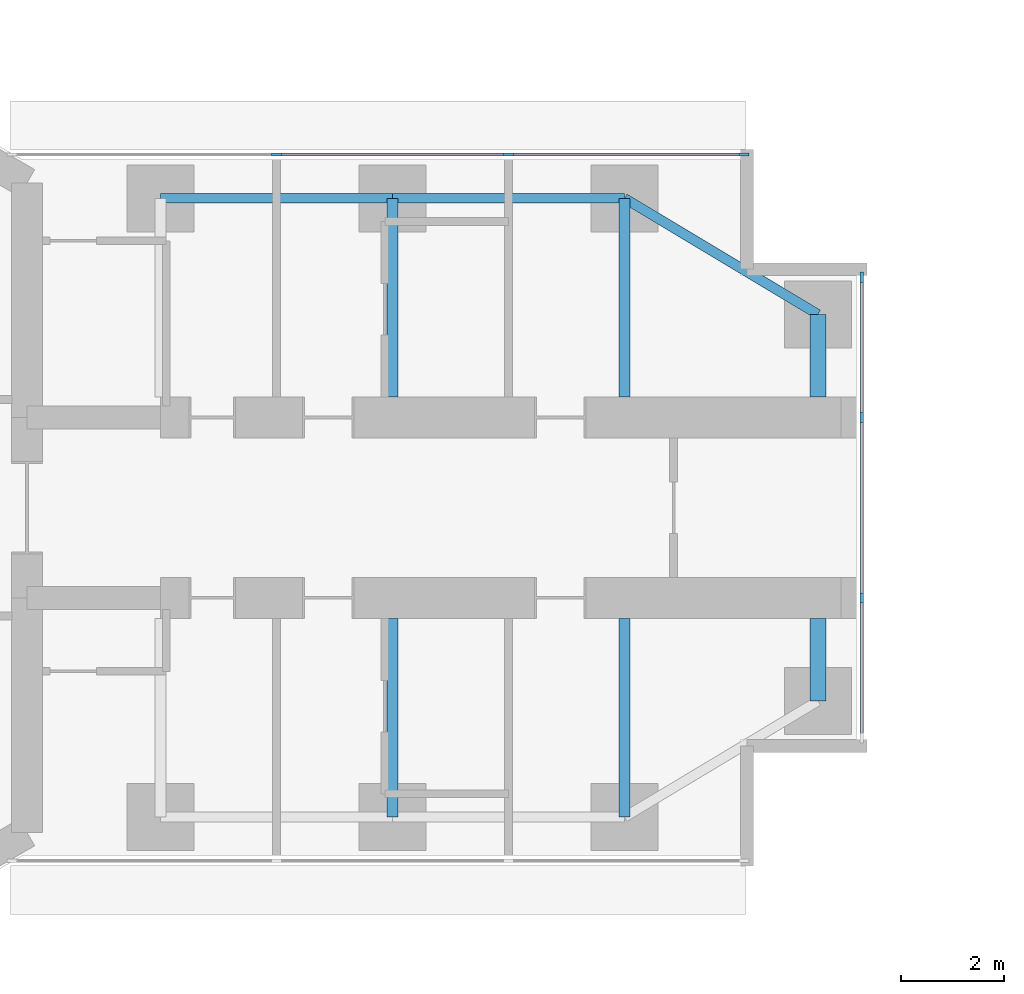
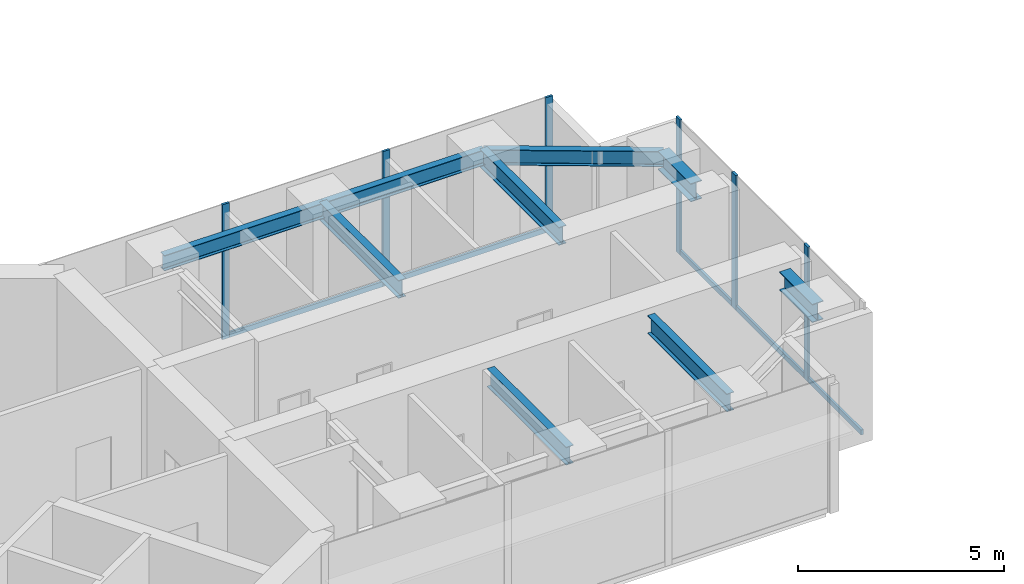
# One storey, part 7 of 22: 11 members, 9 beams, 2 elements without a shape of their own.
"""IFC4 building model written with IfcOpenShell, lengths in metres."""

from ifc_helpers import new_model, si_unit, direction, frame, origin, origin_2d, place, context, subcontext, project, spatial, rectangle, i_section, extrude, material, material_profile, profile_set, type_object, element, aggregate, save


model = new_model("IFC4")

# Units and contexts
model_context = context("Model", 3, precision=1e-05, world=origin(), true_north=direction((0.0, 1.0)))
body_context = subcontext(model_context, "Body", "Model", "MODEL_VIEW")
ifc_project = project(units=[si_unit("LENGTHUNIT", "METRE"), si_unit("AREAUNIT", "SQUARE_METRE"), si_unit("VOLUMEUNIT", "CUBIC_METRE"), si_unit("PLANEANGLEUNIT", "RADIAN"), si_unit("MASSUNIT", "GRAM", prefix="KILO")], contexts=[model_context])

# Site, building, storey
site_placement = place(None, origin())
site = spatial("IfcSite", under=ifc_project, at=site_placement, CompositionType="ELEMENT")
building_placement = place(site_placement, origin())
building = spatial("IfcBuilding", under=site, at=building_placement, Name="Upepo Twin Towers", CompositionType="ELEMENT")
storey_placement = place(building_placement, frame((0.0, 0.0, 133.5)))
storey = spatial("IfcBuildingStorey", under=building, at=storey_placement, Name="L32", CompositionType="ELEMENT", Elevation=133.5)

# Beams
ifc_material_1 = material(Name="Steel S355", Category="steel")
ifc_material_profile_1 = material_profile(ifc_material_1, i_section(OverallWidth=0.1904296875, OverallDepth=0.45703125, WebThickness=0.009033203125, FlangeThickness=0.014404296875, FilletRadius=0.01025390625, at=origin_2d()), Name="UB 457x191x74")
ifc_profile_set_1 = profile_set([ifc_material_profile_1], Name="Steel S355")
beam_type_1 = type_object("IfcBeamType", Name="Beam UB 457x191x74", PredefinedType="BEAM", material=ifc_profile_set_1)
for number, where, z_axis, x_axis, name in (
    (1, (13.5, 6.0, 3.571533203125), (1.0, 0.0, 0.0), (0.0, 1.0, 0.0), "T1 edge beam AL 13.5-18.0"),
    (2, (18.0, 6.0, 3.571533203125), (1.0, 0.0, 0.0), (0.0, 1.0, 0.0), "T1 edge beam AL 18.0-22.5"),
):
    element("IfcBeam", number, at=place(storey_placement, frame(where, z_axis=z_axis, x_axis=x_axis)), inside=storey, type_object=beam_type_1, Name=name, PredefinedType="BEAM", context=body_context, shape_type="SweptSolid", body=[
        extrude(i_section(OverallWidth=0.1904296875, OverallDepth=0.45703125, WebThickness=0.009033203125, FlangeThickness=0.014404296875, FilletRadius=0.01025390625, at=origin_2d()), origin(), (0.0, 0.0, 1.0), 4.5),
    ])
beam_placement = place(storey_placement, frame((22.5, 6.0, 3.571533203125), z_axis=(0.857492925713, -0.514495755428, 0.0), x_axis=(0.514495755428, 0.857492925713, 0.0)))
element("IfcBeam", 3, at=beam_placement, inside=storey, type_object=beam_type_1, Name="T1 nose edge beam AL", PredefinedType="BEAM", context=body_context, shape_type="SweptSolid", body=[
    extrude(i_section(OverallWidth=0.1904296875, OverallDepth=0.45703125, WebThickness=0.009033203125, FlangeThickness=0.014404296875, FilletRadius=0.01025390625, at=origin_2d()), origin(), (0.0, 0.0, 1.0), 4.373291015625),
])
ifc_material_2 = material(Name="Steel S355", Category="steel")
ifc_material_profile_2 = material_profile(ifc_material_2, i_section(OverallWidth=0.209228515625, OverallDepth=0.533203125, WebThickness=0.010009765625, FlangeThickness=0.015625, FilletRadius=0.0126953125, at=origin_2d()), Name="UB 533x210x92")
ifc_profile_set_2 = profile_set([ifc_material_profile_2], Name="Steel S355")
beam_type_2 = type_object("IfcBeamType", Name="Beam UB 533x210x92", PredefinedType="BEAM", material=ifc_profile_set_2)
for number, where, z_axis, x_axis, name in (
    (4, (18.0, 6.0, 3.533447265625), (0.0, -1.0, 0.0), (1.0, 0.0, 0.0), "T1 girder AL at 18.0"),
    (5, (22.5, 6.0, 3.533447265625), (0.0, -1.0, 0.0), (1.0, 0.0, 0.0), "T1 girder AL at 22.5"),
    (6, (18.0, -6.0, 3.533447265625), (0.0, 1.0, 0.0), (-1.0, 0.0, 0.0), "T1 girder AR at 18.0"),
    (7, (22.5, -6.0, 3.533447265625), (0.0, 1.0, 0.0), (-1.0, 0.0, 0.0), "T1 girder AR at 22.5"),
):
    element("IfcBeam", number, at=place(storey_placement, frame(where, z_axis=z_axis, x_axis=x_axis)), inside=storey, type_object=beam_type_2, Name=name, PredefinedType="BEAM", context=body_context, shape_type="SweptSolid", body=[
        extrude(i_section(OverallWidth=0.209228515625, OverallDepth=0.533203125, WebThickness=0.010009765625, FlangeThickness=0.015625, FilletRadius=0.0126953125, at=origin_2d()), origin(), (0.0, 0.0, 1.0), 3.85009765625),
    ])
ifc_material_3 = material(Name="Steel S355", Category="steel")
ifc_material_profile_3 = material_profile(ifc_material_3, i_section(OverallWidth=0.31201171875, OverallDepth=0.54345703125, WebThickness=0.0126953125, FlangeThickness=0.020263671875, FilletRadius=0.0126953125, at=origin_2d()), Name="UB 533x312x150")
ifc_profile_set_3 = profile_set([ifc_material_profile_3], Name="Steel S355")
beam_type_3 = type_object("IfcBeamType", Name="Beam UB 533x312x150", PredefinedType="BEAM", material=ifc_profile_set_3)
for number, where, z_axis, x_axis, name in (
    (8, (26.25, 3.75, 3.5283203125), (0.0, -1.0, 0.0), (1.0, 0.0, 0.0), "T1 nose beam AL"),
    (9, (26.25, -3.75, 3.5283203125), (0.0, 1.0, 0.0), (-1.0, 0.0, 0.0), "T1 nose beam AR"),
):
    element("IfcBeam", number, at=place(storey_placement, frame(where, z_axis=z_axis, x_axis=x_axis)), inside=storey, type_object=beam_type_3, Name=name, PredefinedType="BEAM", context=body_context, shape_type="SweptSolid", body=[
        extrude(i_section(OverallWidth=0.31201171875, OverallDepth=0.54345703125, WebThickness=0.0126953125, FlangeThickness=0.020263671875, FilletRadius=0.0126953125, at=origin_2d()), origin(), (0.0, 0.0, 1.0), 1.60009765625),
    ])

# Curtain wall, members
ifc_material_4 = material(Name="Aluminium and fritted glass", Category="aluminium")
curtain_wall_type = type_object("IfcCurtainWallType", Name="Tower curtain wall TW2, fritted glass", PredefinedType="NOTDEFINED", material=ifc_material_4)
curtain_wall_1_placement = place(storey_placement, origin())
curtain_wall_1 = element("IfcCurtainWall", 10, at=curtain_wall_1_placement, inside=storey, type_object=curtain_wall_type, Name="T1 L32 wing A flank L curtain wall", PredefinedType="NOTDEFINED")
ifc_material_5 = material(Name="Aluminium mullion", Category="aluminium")
ifc_material_profile_4 = material_profile(ifc_material_5, rectangle(XDim=0.06494140625, YDim=0.199951171875, at=origin_2d()), Name="MULLION 65x200")
ifc_profile_set_4 = profile_set([ifc_material_profile_4], Name="Aluminium mullion")
member_type_1 = type_object("IfcMemberType", Name="Mullion 65x200 TW2", PredefinedType="MULLION", material=ifc_profile_set_4)
member_1_placement = place(storey_placement, frame((15.75, 6.85009765625, 0.0), z_axis=(0.0, 0.0, 1.0), x_axis=(0.0, 1.0, 0.0)))
member_1 = element("IfcMember", 11, at=member_1_placement, type_object=member_type_1, Name="T1 L32 wing A flank L curtain wall mullion 2", PredefinedType="MULLION", context=body_context, shape_type="SweptSolid", body=[
    extrude(rectangle(XDim=0.06494140625, YDim=0.199951171875, at=origin_2d()), origin(), (0.0, 0.0, 1.0), 4.0),
])
member_2_placement = place(storey_placement, frame((20.25, 6.85009765625, 0.0), z_axis=(0.0, 0.0, 1.0), x_axis=(0.0, 1.0, 0.0)))
member_2 = element("IfcMember", 12, at=member_2_placement, type_object=member_type_1, Name="T1 L32 wing A flank L curtain wall mullion 3", PredefinedType="MULLION", context=body_context, shape_type="SweptSolid", body=[
    extrude(rectangle(XDim=0.06494140625, YDim=0.199951171875, at=origin_2d()), origin(), (0.0, 0.0, 1.0), 4.0),
])
member_3_placement = place(storey_placement, frame((24.8173828125, 6.85009765625, 0.0), z_axis=(0.0, 0.0, 1.0), x_axis=(0.0, 1.0, 0.0)))
member_3 = element("IfcMember", 13, at=member_3_placement, type_object=member_type_1, Name="T1 L32 wing A flank L curtain wall mullion 4", PredefinedType="MULLION", context=body_context, shape_type="SweptSolid", body=[
    extrude(rectangle(XDim=0.06494140625, YDim=0.199951171875, at=origin_2d()), origin(), (0.0, 0.0, 1.0), 4.0),
])

curtain_wall_2_placement = place(storey_placement, origin())
curtain_wall_2 = element("IfcCurtainWall", 14, at=curtain_wall_2_placement, inside=storey, type_object=curtain_wall_type, Name="T1 L32 wing A nose curtain wall", PredefinedType="NOTDEFINED")
member_4_placement = place(storey_placement, frame((27.10009765625, -1.75, 0.0), z_axis=(0.0, 0.0, 1.0), x_axis=(-1.0, 0.0, 0.0)))
member_4 = element("IfcMember", 15, at=member_4_placement, type_object=member_type_1, Name="T1 L32 wing A nose curtain wall mullion 2", PredefinedType="MULLION", context=body_context, shape_type="SweptSolid", body=[
    extrude(rectangle(XDim=0.06494140625, YDim=0.199951171875, at=origin_2d()), origin(), (0.0, 0.0, 1.0), 4.0),
])
member_5_placement = place(storey_placement, frame((27.10009765625, 1.75, 0.0), z_axis=(0.0, 0.0, 1.0), x_axis=(-1.0, 0.0, 0.0)))
member_5 = element("IfcMember", 16, at=member_5_placement, type_object=member_type_1, Name="T1 L32 wing A nose curtain wall mullion 3", PredefinedType="MULLION", context=body_context, shape_type="SweptSolid", body=[
    extrude(rectangle(XDim=0.06494140625, YDim=0.199951171875, at=origin_2d()), origin(), (0.0, 0.0, 1.0), 4.0),
])
member_6_placement = place(storey_placement, frame((27.10009765625, 4.467529296875, 0.0), z_axis=(0.0, 0.0, 1.0), x_axis=(-1.0, 0.0, 0.0)))
member_6 = element("IfcMember", 17, at=member_6_placement, type_object=member_type_1, Name="T1 L32 wing A nose curtain wall mullion 4", PredefinedType="MULLION", context=body_context, shape_type="SweptSolid", body=[
    extrude(rectangle(XDim=0.06494140625, YDim=0.199951171875, at=origin_2d()), origin(), (0.0, 0.0, 1.0), 4.0),
])

# Member
ifc_material_6 = material(Name="Aluminium transom", Category="aluminium")
ifc_material_profile_5 = material_profile(ifc_material_6, rectangle(XDim=0.06494140625, YDim=0.14990234375, at=origin_2d()), Name="TRANSOM 65x150")
ifc_profile_set_5 = profile_set([ifc_material_profile_5], Name="Aluminium transom")
member_type_2 = type_object("IfcMemberType", Name="Transom 65x150 TW2", PredefinedType="USERDEFINED", material=ifc_profile_set_5)
member_7_placement = place(storey_placement, frame((15.782470703125, 6.85009765625, 0.074951171875), z_axis=(1.0, 0.0, 0.0), x_axis=(0.0, 1.0, 0.0)))
member_7 = element("IfcMember", 18, at=member_7_placement, type_object=member_type_2, Name="T1 L32 wing A flank L curtain wall transom 2", ObjectType="TRANSOM", PredefinedType="USERDEFINED", context=body_context, shape_type="SweptSolid", body=[
    extrude(rectangle(XDim=0.06494140625, YDim=0.14990234375, at=origin_2d()), origin(), (0.0, 0.0, 1.0), 4.43505859375),
])

member_8_placement = place(storey_placement, frame((20.282470703125, 6.85009765625, 0.074951171875), z_axis=(1.0, 0.0, 0.0), x_axis=(0.0, 1.0, 0.0)))
member_8 = element("IfcMember", 19, at=member_8_placement, type_object=member_type_2, Name="T1 L32 wing A flank L curtain wall transom 3", ObjectType="TRANSOM", PredefinedType="USERDEFINED", context=body_context, shape_type="SweptSolid", body=[
    extrude(rectangle(XDim=0.06494140625, YDim=0.14990234375, at=origin_2d()), origin(), (0.0, 0.0, 1.0), 4.50244140625),
])

aggregate(curtain_wall_1, [member_1, member_2, member_3, member_7, member_8])

member_9_placement = place(storey_placement, frame((27.10009765625, -4.43505859375, 0.074951171875), z_axis=(0.0, 1.0, 0.0), x_axis=(-1.0, 0.0, 0.0)))
member_9 = element("IfcMember", 20, at=member_9_placement, type_object=member_type_2, Name="T1 L32 wing A nose curtain wall transom 1", ObjectType="TRANSOM", PredefinedType="USERDEFINED", context=body_context, shape_type="SweptSolid", body=[
    extrude(rectangle(XDim=0.06494140625, YDim=0.14990234375, at=origin_2d()), origin(), (0.0, 0.0, 1.0), 2.652587890625),
])

member_10_placement = place(storey_placement, frame((27.10009765625, -1.717529296875, 0.074951171875), z_axis=(0.0, 1.0, 0.0), x_axis=(-1.0, 0.0, 0.0)))
member_10 = element("IfcMember", 21, at=member_10_placement, type_object=member_type_2, Name="T1 L32 wing A nose curtain wall transom 2", ObjectType="TRANSOM", PredefinedType="USERDEFINED", context=body_context, shape_type="SweptSolid", body=[
    extrude(rectangle(XDim=0.06494140625, YDim=0.14990234375, at=origin_2d()), origin(), (0.0, 0.0, 1.0), 3.43505859375),
])

member_11_placement = place(storey_placement, frame((27.10009765625, 1.782470703125, 0.074951171875), z_axis=(0.0, 1.0, 0.0), x_axis=(-1.0, 0.0, 0.0)))
member_11 = element("IfcMember", 22, at=member_11_placement, type_object=member_type_2, Name="T1 L32 wing A nose curtain wall transom 3", ObjectType="TRANSOM", PredefinedType="USERDEFINED", context=body_context, shape_type="SweptSolid", body=[
    extrude(rectangle(XDim=0.06494140625, YDim=0.14990234375, at=origin_2d()), origin(), (0.0, 0.0, 1.0), 2.652587890625),
])

aggregate(curtain_wall_2, [member_4, member_5, member_6, member_9, member_10, member_11])

save(model, "model.ifc")
